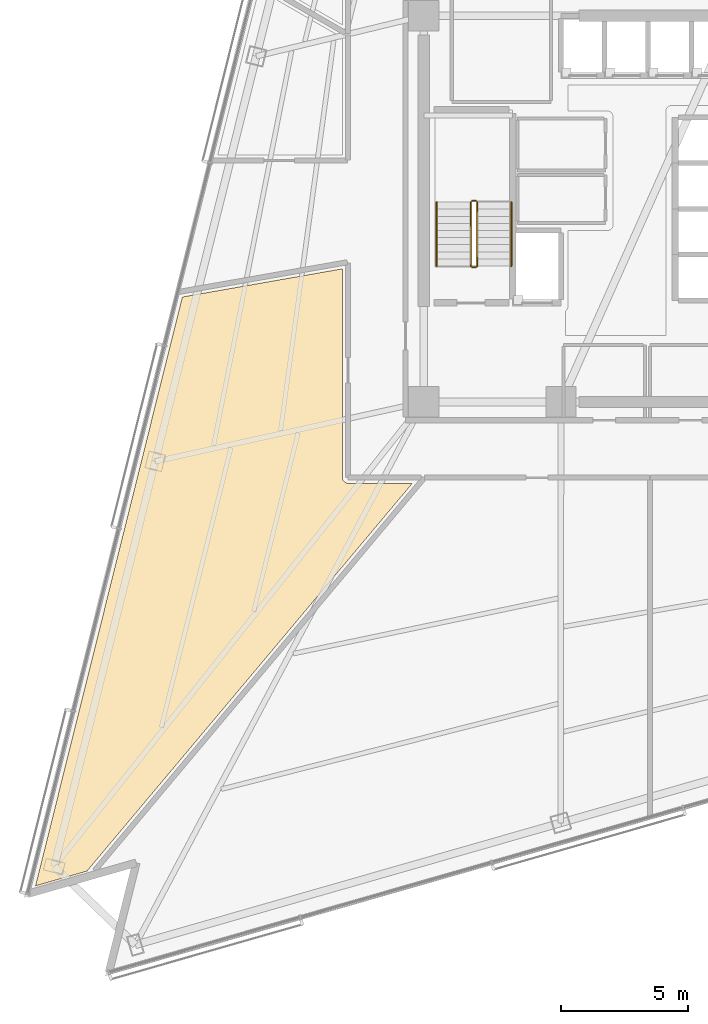
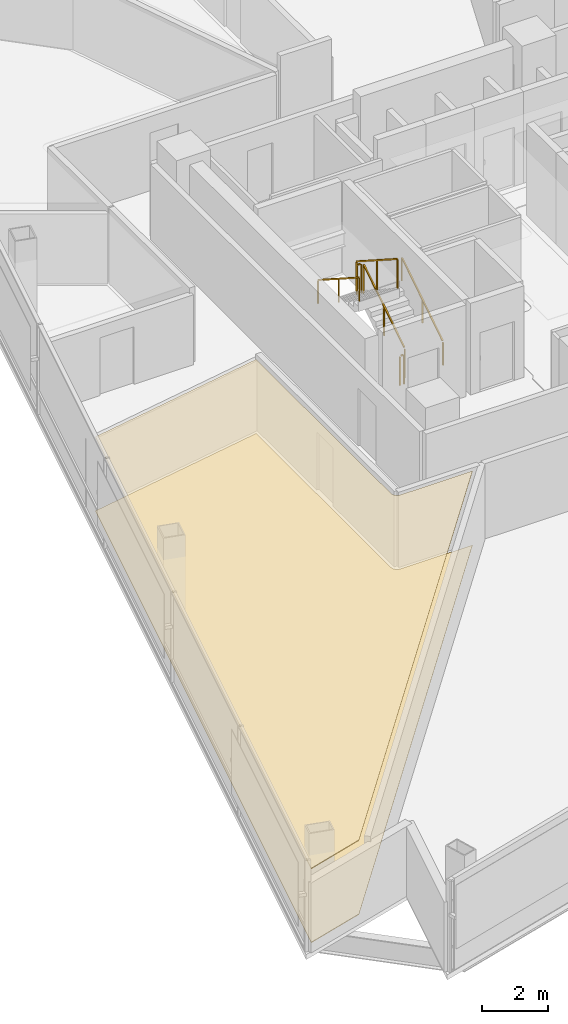
# One storey, part 15 of 19: 6 railings, 2 coverings.
"""IFC4 building model written with IfcOpenShell, lengths in metres."""

from ifc_helpers import new_model, si_unit, direction, frame, origin, origin_2d, place, context, subcontext, project, spatial, polyline, rectangle, outline, extrude, material, layer, layer_set, type_object, element, save


model = new_model("IFC4")

# Units and contexts
model_context = context("Model", 3, precision=1e-05, world=origin(), true_north=direction((0.0, 1.0)))
body_context = subcontext(model_context, "Body", "Model", "MODEL_VIEW")
ifc_project = project(units=[si_unit("LENGTHUNIT", "METRE"), si_unit("AREAUNIT", "SQUARE_METRE"), si_unit("VOLUMEUNIT", "CUBIC_METRE"), si_unit("PLANEANGLEUNIT", "RADIAN"), si_unit("MASSUNIT", "GRAM", prefix="KILO")], contexts=[model_context])

# Site, building, storey
site_placement = place(None, origin())
site = spatial("IfcSite", under=ifc_project, at=site_placement, CompositionType="ELEMENT")
building_placement = place(site_placement, origin())
building = spatial("IfcBuilding", under=site, at=building_placement, Name="Tharavind Bronze Gate", CompositionType="ELEMENT")
storey_placement = place(building_placement, frame((0.0, 0.0, 89.699951171875)))
storey = spatial("IfcBuildingStorey", under=building, at=storey_placement, Name="L22", CompositionType="ELEMENT", Elevation=89.699951171875)

# Coverings
ifc_material_1 = material(Name="Engineered Oak & Carpet Tile", Category="wood")
ifc_layer_1 = layer(ifc_material_1, 0.02490234375)
ifc_layer_set_1 = layer_set([ifc_layer_1], Name="Engineered Oak & Carpet Tile")
covering_type_1 = type_object("IfcCoveringType", Name="ENGINEERED TIMBER FLOORING", PredefinedType="FLOORING", material=ifc_layer_set_1)
covering_1_placement = place(storey_placement, origin())
element("IfcCovering", 1, at=covering_1_placement, inside=storey, type_object=covering_type_1, Name="L22-RM-05 floor finish", PredefinedType="FLOORING", context=body_context, shape_type="SweptSolid", body=[
    extrude(outline(polyline([(-22.159912109375, -26.066650390625), (-9.349609375, -10.800048828125), (-11.87939453125, -10.800048828125), (-11.89013671875, -10.7998046875), (-11.890869140625, -10.7998046875), (-11.912353515625, -10.797607421875), (-11.933349609375, -10.79345703125), (-11.9541015625, -10.787109375), (-11.97412109375, -10.77880859375), (-11.9931640625, -10.768798828125), (-12.010986328125, -10.756591796875), (-12.027587890625, -10.742919921875), (-12.04296875, -10.727783203125), (-12.056640625, -10.7109375), (-12.068603515625, -10.693115234375), (-12.078857421875, -10.674072265625), (-12.087158203125, -10.654052734375), (-12.093505859375, -10.63330078125), (-12.09765625, -10.6123046875), (-12.099609375, -10.5908203125), (-12.099609375, -10.590087890625), (-12.10009765625, -10.579345703125), (-12.10009765625, -2.35693359375), (-18.404541015625, -3.468505859375), (-24.18359375, -26.647216796875), (-22.159912109375, -26.066650390625)])), origin(), (0.0, 0.0, 1.0), 0.025146484375),
])
ifc_material_2 = material(Name="Acoustic Gypsum Board", Category="gypsum")
ifc_layer_2 = layer(ifc_material_2, 0.030029296875)
ifc_layer_set_2 = layer_set([ifc_layer_2], Name="Acoustic Gypsum Board")
covering_type_2 = type_object("IfcCoveringType", Name="GYPSUM SUSPENDED CEILING", PredefinedType="CEILING", material=ifc_layer_set_2)
covering_2_placement = place(storey_placement, frame((0.0, 0.0, 2.75)))
element("IfcCovering", 2, at=covering_2_placement, inside=storey, type_object=covering_type_2, Name="L22-RM-05 suspended ceiling", PredefinedType="CEILING", context=body_context, shape_type="SweptSolid", body=[
    extrude(outline(polyline([(-22.159912109375, -26.066650390625), (-9.349609375, -10.800048828125), (-11.87939453125, -10.800048828125), (-11.89013671875, -10.7998046875), (-11.890869140625, -10.7998046875), (-11.912353515625, -10.797607421875), (-11.933349609375, -10.79345703125), (-11.9541015625, -10.787109375), (-11.97412109375, -10.77880859375), (-11.9931640625, -10.768798828125), (-12.010986328125, -10.756591796875), (-12.027587890625, -10.742919921875), (-12.04296875, -10.727783203125), (-12.056640625, -10.7109375), (-12.068603515625, -10.693115234375), (-12.078857421875, -10.674072265625), (-12.087158203125, -10.654052734375), (-12.093505859375, -10.63330078125), (-12.09765625, -10.6123046875), (-12.099609375, -10.5908203125), (-12.099609375, -10.590087890625), (-12.10009765625, -10.579345703125), (-12.10009765625, -2.35693359375), (-18.404541015625, -3.468505859375), (-24.18359375, -26.647216796875), (-22.159912109375, -26.066650390625)])), origin(), (0.0, 0.0, 1.0), 0.03515625),
])

# Railings
ifc_material_3 = material(Name="Brushed Bronze Alloy", Category="metal")
railing_type_1 = type_object("IfcRailingType", Name="STAIR BRONZE HANDRAIL 900", PredefinedType="HANDRAIL", material=ifc_material_3)
railing_1_placement = place(storey_placement, frame((-5.449951171875, -2.25, 0.179931640625)))
element("IfcRailing", 3, at=railing_1_placement, inside=storey, type_object=railing_type_1, Name="L22 ST1 stair handrail 1", PredefinedType="HANDRAIL", context=body_context, shape_type="SweptSolid", body=[
    extrude(rectangle(XDim=0.048095703125, YDim=0.048095703125, at=origin_2d()), frame((0.0, 0.02685546875, 0.89306640625), z_axis=(0.0, 0.841162588446, 0.540782303519), x_axis=(-1.0, 0.0, 0.0)), (0.0, 0.0, 1.0), 2.931884765625),
    extrude(rectangle(XDim=0.0400390625, YDim=0.0400390625, at=origin_2d()), origin(), (0.0, 0.0, 1.0), 0.847900390625),
    extrude(rectangle(XDim=0.0400390625, YDim=0.0400390625, at=origin_2d()), frame((0.0, 1.260009765625, 0.81005859375)), (0.0, 0.0, 1.0), 0.847900390625),
    extrude(rectangle(XDim=0.0400390625, YDim=0.0400390625, at=origin_2d()), frame((0.0, 2.52001953125, 1.6201171875)), (0.0, 0.0, 1.0), 0.847900390625),
])
railing_2_placement = place(storey_placement, frame((-8.39990234375, 0.27001953125, 1.97998046875)))
element("IfcRailing", 4, at=railing_2_placement, inside=storey, type_object=railing_type_1, Name="L22 ST1 stair handrail 2", PredefinedType="HANDRAIL", context=body_context, shape_type="SweptSolid", body=[
    extrude(rectangle(XDim=0.048095703125, YDim=0.048095703125, at=origin_2d()), frame((0.0, -0.02685546875, 0.89306640625), z_axis=(0.0, -0.841162588446, 0.540782303519), x_axis=(1.0, 0.0, 0.0)), (0.0, 0.0, 1.0), 2.931884765625),
    extrude(rectangle(XDim=0.0400390625, YDim=0.0400390625, at=origin_2d()), origin(), (0.0, 0.0, 1.0), 0.847900390625),
    extrude(rectangle(XDim=0.0400390625, YDim=0.0400390625, at=origin_2d()), frame((0.0, -1.260009765625, 0.81005859375)), (0.0, 0.0, 1.0), 0.847900390625),
    extrude(rectangle(XDim=0.0400390625, YDim=0.0400390625, at=origin_2d()), frame((0.0, -2.52001953125, 1.6201171875)), (0.0, 0.0, 1.0), 0.847900390625),
])
railing_type_2 = type_object("IfcRailingType", Name="STAIR WELL GUARD RAILING 1120", PredefinedType="GUARDRAIL", material=ifc_material_3)
railing_3_placement = place(storey_placement, frame((-6.800048828125, -2.25, 0.179931640625)))
element("IfcRailing", 5, at=railing_3_placement, inside=storey, type_object=railing_type_2, Name="L22 ST1 stair guard 1", PredefinedType="GUARDRAIL", context=body_context, shape_type="SweptSolid", body=[
    extrude(rectangle(XDim=0.048095703125, YDim=0.048095703125, at=origin_2d()), frame((0.0, 0.02685546875, 1.11328125), z_axis=(0.0, 0.841162588446, 0.540782303519), x_axis=(-1.0, 0.0, 0.0)), (0.0, 0.0, 1.0), 2.931884765625),
    extrude(rectangle(XDim=0.0400390625, YDim=0.0400390625, at=origin_2d()), origin(), (0.0, 0.0, 1.0), 1.068115234375),
    extrude(rectangle(XDim=0.0400390625, YDim=0.0400390625, at=origin_2d()), frame((0.0, 1.260009765625, 0.81005859375)), (0.0, 0.0, 1.0), 1.068115234375),
    extrude(rectangle(XDim=0.0400390625, YDim=0.0400390625, at=origin_2d()), frame((0.0, 2.52001953125, 1.6201171875)), (0.0, 0.0, 1.0), 1.068115234375),
])
railing_4_placement = place(storey_placement, frame((-6.85009765625, 0.320068359375, 1.800048828125)))
element("IfcRailing", 6, at=railing_4_placement, inside=storey, type_object=railing_type_2, Name="L22 ST1 stair guard 2", PredefinedType="GUARDRAIL", context=body_context, shape_type="SweptSolid", body=[
    extrude(rectangle(XDim=0.048095703125, YDim=0.048095703125, at=origin_2d()), frame((-0.031982421875, 0.0, 1.09619140625), z_axis=(-1.0, 0.0, 0.0), x_axis=(0.0, -1.0, 0.0)), (0.0, 0.0, 1.0), 0.0859375),
    extrude(rectangle(XDim=0.0400390625, YDim=0.0400390625, at=origin_2d()), origin(), (0.0, 0.0, 1.0), 1.068115234375),
    extrude(rectangle(XDim=0.0400390625, YDim=0.0400390625, at=origin_2d()), frame((-0.14990234375, 0.0, 0.0)), (0.0, 0.0, 1.0), 1.068115234375),
])
railing_5_placement = place(storey_placement, frame((-7.050048828125, 0.27001953125, 1.97998046875)))
element("IfcRailing", 7, at=railing_5_placement, inside=storey, type_object=railing_type_2, Name="L22 ST1 stair guard 3", PredefinedType="GUARDRAIL", context=body_context, shape_type="SweptSolid", body=[
    extrude(rectangle(XDim=0.048095703125, YDim=0.048095703125, at=origin_2d()), frame((0.0, -0.02685546875, 1.11328125), z_axis=(0.0, -0.841162588446, 0.540782303519), x_axis=(1.0, 0.0, 0.0)), (0.0, 0.0, 1.0), 2.931884765625),
    extrude(rectangle(XDim=0.0400390625, YDim=0.0400390625, at=origin_2d()), origin(), (0.0, 0.0, 1.0), 1.068115234375),
    extrude(rectangle(XDim=0.0400390625, YDim=0.0400390625, at=origin_2d()), frame((0.0, -1.260009765625, 0.81005859375)), (0.0, 0.0, 1.0), 1.068115234375),
    extrude(rectangle(XDim=0.0400390625, YDim=0.0400390625, at=origin_2d()), frame((0.0, -2.52001953125, 1.6201171875)), (0.0, 0.0, 1.0), 1.068115234375),
])
railing_6_placement = place(storey_placement, frame((-6.85009765625, -2.300048828125, 0.0)))
element("IfcRailing", 8, at=railing_6_placement, inside=storey, type_object=railing_type_2, Name="L22 ST1 stair guard 4", PredefinedType="GUARDRAIL", context=body_context, shape_type="SweptSolid", body=[
    extrude(rectangle(XDim=0.048095703125, YDim=0.048095703125, at=origin_2d()), frame((-0.031982421875, 0.0, 1.09619140625), z_axis=(-1.0, 0.0, 0.0), x_axis=(0.0, -1.0, 0.0)), (0.0, 0.0, 1.0), 0.0859375),
    extrude(rectangle(XDim=0.0400390625, YDim=0.0400390625, at=origin_2d()), origin(), (0.0, 0.0, 1.0), 1.068115234375),
    extrude(rectangle(XDim=0.0400390625, YDim=0.0400390625, at=origin_2d()), frame((-0.14990234375, 0.0, 0.0)), (0.0, 0.0, 1.0), 1.068115234375),
])

save(model, "model.ifc")
